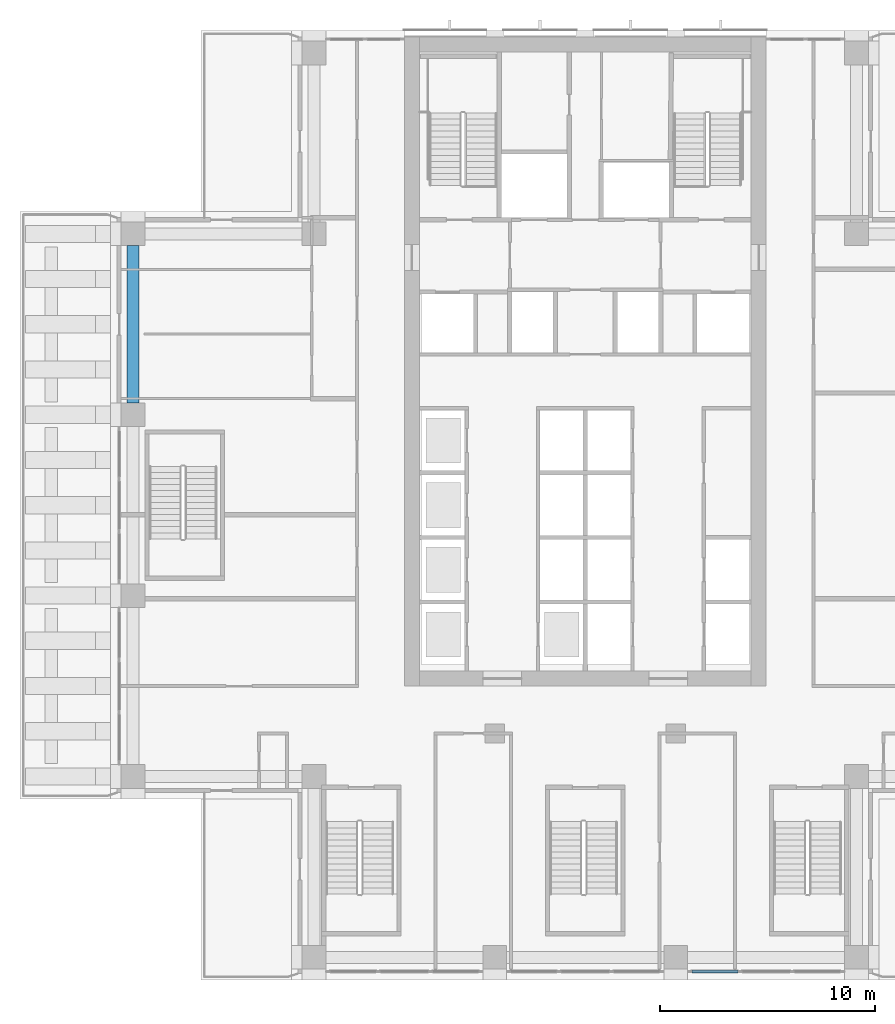
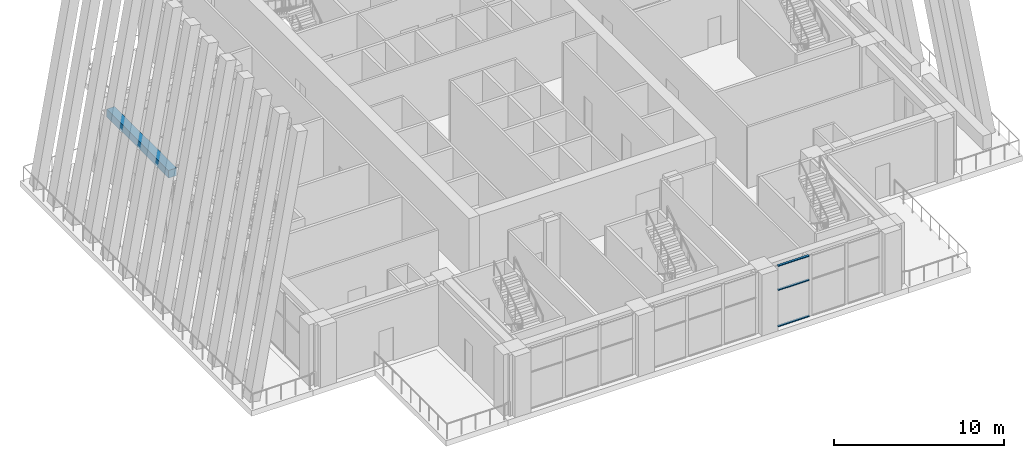
# One storey, part 3 of 19: 3 members, 1 beam, 1 element without a shape of its own.
"""IFC4 building model written with IfcOpenShell, lengths in metres."""

from ifc_helpers import new_model, si_unit, direction, frame, origin, origin_2d, place, context, subcontext, project, spatial, rectangle, extrude, material, material_profile, profile_set, type_object, element, aggregate, save


model = new_model("IFC4")

# Units and contexts
model_context = context("Model", 3, precision=1e-05, world=origin(), true_north=direction((0.0, 1.0)))
body_context = subcontext(model_context, "Body", "Model", "MODEL_VIEW")
ifc_project = project(units=[si_unit("LENGTHUNIT", "METRE"), si_unit("AREAUNIT", "SQUARE_METRE"), si_unit("VOLUMEUNIT", "CUBIC_METRE"), si_unit("PLANEANGLEUNIT", "RADIAN"), si_unit("MASSUNIT", "GRAM", prefix="KILO")], contexts=[model_context])

# Site, building, storey
site_placement = place(None, origin())
site = spatial("IfcSite", under=ifc_project, at=site_placement, CompositionType="ELEMENT")
building_placement = place(site_placement, origin())
building = spatial("IfcBuilding", under=site, at=building_placement, Name="Vermilion Ogive Tower", CompositionType="ELEMENT")
storey_placement = place(building_placement, frame((0.0, 0.0, 128.300048828125)))
storey = spatial("IfcBuildingStorey", under=building, at=storey_placement, Name="L32", CompositionType="ELEMENT", Elevation=128.300048828125)

# Curtain wall, members
ifc_material_1 = material(Name="Low-iron laminated glazing in aluminium frame", Category="aluminium")
curtain_wall_type = type_object("IfcCurtainWallType", Name="Curtain wall CW6", PredefinedType="NOTDEFINED", material=ifc_material_1)
curtain_wall_placement = place(storey_placement, origin())
curtain_wall = element("IfcCurtainWall", 1, at=curtain_wall_placement, inside=storey, type_object=curtain_wall_type, Name="CW6 sky lobby glazing S3", PredefinedType="NOTDEFINED")
ifc_material_2 = material(Name="Aluminium transom", Category="aluminium")
ifc_material_profile_1 = material_profile(ifc_material_2, rectangle(XDim=0.14990234375, YDim=0.06005859375, at=origin_2d()), Name="AL 60x150")
ifc_profile_set_1 = profile_set([ifc_material_profile_1], Name="Aluminium transom")
member_type = type_object("IfcMemberType", Name="CW6 transom 60x150", PredefinedType="USERDEFINED", material=ifc_profile_set_1)
member_1_placement = place(storey_placement, frame((4.949951171875, -21.64990234375, 0.030029296875), z_axis=(1.0, 0.0, 0.0), x_axis=(0.0, 1.0, 0.0)))
member_1 = element("IfcMember", 2, at=member_1_placement, type_object=member_type, Name="CW6-S3 transom 1.1", ObjectType="TRANSOM", PredefinedType="USERDEFINED", context=body_context, shape_type="SweptSolid", body=[
    extrude(rectangle(XDim=0.14990234375, YDim=0.06005859375, at=origin_2d()), origin(), (0.0, 0.0, 1.0), 2.13330078125),
])
member_2_placement = place(storey_placement, frame((4.949951171875, -21.64990234375, 2.639892578125), z_axis=(1.0, 0.0, 0.0), x_axis=(0.0, 1.0, 0.0)))
member_2 = element("IfcMember", 3, at=member_2_placement, type_object=member_type, Name="CW6-S3 transom 1.2", ObjectType="TRANSOM", PredefinedType="USERDEFINED", context=body_context, shape_type="SweptSolid", body=[
    extrude(rectangle(XDim=0.14990234375, YDim=0.06005859375, at=origin_2d()), origin(), (0.0, 0.0, 1.0), 2.13330078125),
])
member_3_placement = place(storey_placement, frame((4.949951171875, -21.64990234375, 4.369873046875), z_axis=(1.0, 0.0, 0.0), x_axis=(0.0, 1.0, 0.0)))
member_3 = element("IfcMember", 4, at=member_3_placement, type_object=member_type, Name="CW6-S3 transom 1.3", ObjectType="TRANSOM", PredefinedType="USERDEFINED", context=body_context, shape_type="SweptSolid", body=[
    extrude(rectangle(XDim=0.14990234375, YDim=0.06005859375, at=origin_2d()), origin(), (0.0, 0.0, 1.0), 2.13330078125),
])
aggregate(curtain_wall, [member_1, member_2, member_3])

# Beam
ifc_material_3 = material(Name="Concrete B45", Category="concrete")
ifc_material_profile_2 = material_profile(ifc_material_3, rectangle(XDim=0.550048828125, YDim=0.550048828125, at=origin_2d()), Name="550 x 550")
ifc_profile_set_2 = profile_set([ifc_material_profile_2], Name="Concrete B45")
beam_type = type_object("IfcBeamType", Name="Edge beam 550 x 550 B45", PredefinedType="BEAM", material=ifc_profile_set_2)
beam_placement = place(storey_placement, frame((-21.0, 12.050048828125, 4.125), z_axis=(0.0, -1.0, 0.0), x_axis=(1.0, 0.0, 0.0)))
element("IfcBeam", 5, at=beam_placement, inside=storey, type_object=beam_type, Name="L32-EB-13", PredefinedType="BEAM", context=body_context, shape_type="SweptSolid", body=[
    extrude(rectangle(XDim=0.550048828125, YDim=0.550048828125, at=origin_2d()), origin(), (0.0, 0.0, 1.0), 7.300048828125),
])

save(model, "model.ifc")
